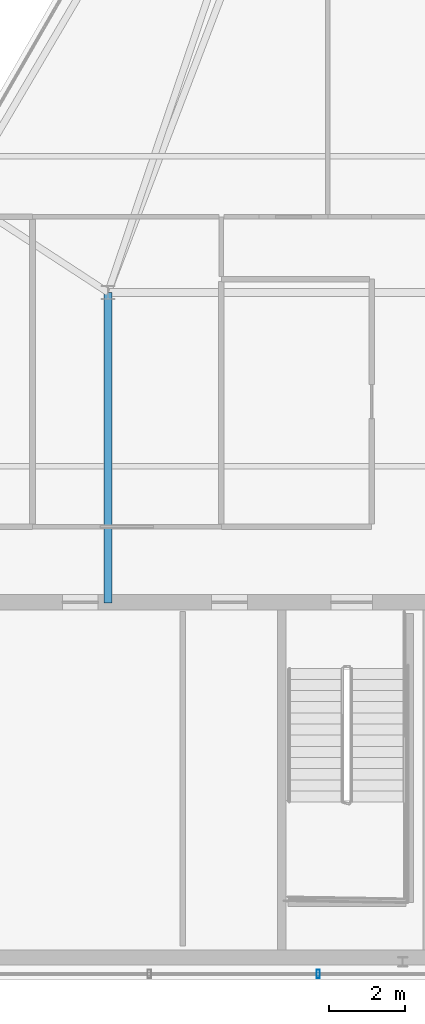
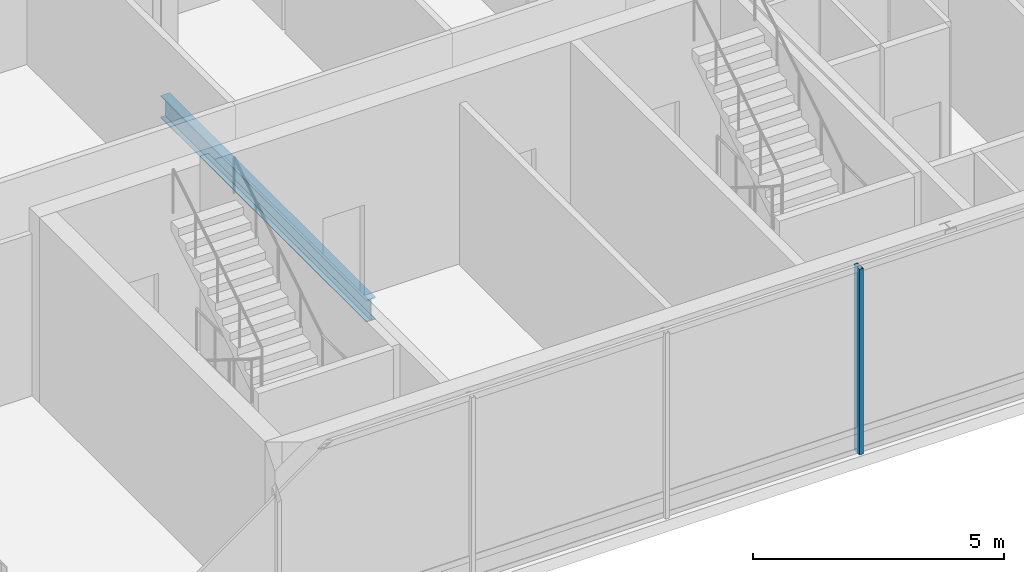
# One storey, part 5 of 25: 1 beam, 1 member, 1 element without a shape of its own.
"""IFC4 building model written with IfcOpenShell, lengths in metres."""

import ifcopenshell
import ifcopenshell.guid

model = None  # the IFC model being written
_history = None  # IfcOwnerHistory: only IFC2X3 demands one
_inside = {}  # id of a spatial element -> (the spatial element, [elements in it])
_under = {}  # id of a project, library or spatial element -> (it, [spatial elements below it])
_declared = {}  # id of a project -> (the project, [libraries it declares])
_typed = {}  # id of a type object -> (the type object, [elements of that type])
_made_of = {}  # id of a material, layer set ... -> (it, [elements and type objects made of it])


def new_model(schema):
    """Start an empty IFC model of exactly this schema.

    Asked for "IFC4X3", IfcOpenShell would pick the latest addendum, in which some entities
    have other attributes; the version numbers below select the first issue.
    IFC2X3 requires an IfcOwnerHistory on every rooted entity: one is made here for all.
    """
    global model, _history
    if schema == "IFC4X3":
        model = ifcopenshell.file(schema_version=(4, 3, 0, 0))
    else:
        model = ifcopenshell.file(schema=schema)
    _inside.clear()
    _under.clear()
    _declared.clear()
    _typed.clear()
    _made_of.clear()
    _history = None
    if model.schema == "IFC2X3":
        org = make("IfcOrganization", Name="unknown")
        user = make(
            "IfcPersonAndOrganization",
            ThePerson=make("IfcPerson", FamilyName="unknown"),
            TheOrganization=org,
        )
        app = make(
            "IfcApplication",
            ApplicationDeveloper=org,
            Version="unknown",
            ApplicationFullName="unknown",
            ApplicationIdentifier="unknown",
        )
        _history = make(
            "IfcOwnerHistory",
            OwningUser=user,
            OwningApplication=app,
            ChangeAction="ADDED",
            CreationDate=0,
        )
    return model


def make(cls, **values):
    """One entity of the class cls with the attributes given. An attribute that is None is left unset."""
    return model.create_entity(
        cls, **{name: value for name, value in values.items() if value is not None}
    )


def rooted(cls, **values):
    """An entity with a GlobalId (a new one), such as an element, a storey or a relation."""
    return make(cls, GlobalId=ifcopenshell.guid.new(), OwnerHistory=_history, **values)


def si_unit(unit_type, name, prefix=None):
    """IfcSIUnit, for example si_unit("LENGTHUNIT", "METRE", prefix="MILLI")."""
    return make("IfcSIUnit", UnitType=unit_type, Prefix=prefix, Name=name)


def assignment(units):
    """IfcUnitAssignment: the units of a project."""
    return None if units is None else make("IfcUnitAssignment", Units=units)


def point(xyz):
    """IfcCartesianPoint."""
    return None if xyz is None else make("IfcCartesianPoint", Coordinates=xyz)


def direction(xyz):
    """IfcDirection."""
    return None if xyz is None else make("IfcDirection", DirectionRatios=xyz)


def frame(location, z_axis=None, x_axis=None):
    """IfcAxis2Placement3D, a coordinate frame: its origin and axes. An axis left out is left unset."""
    return make(
        "IfcAxis2Placement3D",
        Location=point(location),
        Axis=direction(z_axis),
        RefDirection=direction(x_axis),
    )


def frame_2d(location, x_axis=None):
    """IfcAxis2Placement2D, a coordinate frame in the plane: its origin and x axis."""
    return make(
        "IfcAxis2Placement2D", Location=point(location), RefDirection=direction(x_axis)
    )


def origin():
    """The frame at (0, 0, 0) with its axes left unset."""
    return frame((0.0, 0.0, 0.0))


def origin_2d():
    """The frame at (0, 0) in the plane with its x axis left unset."""
    return frame_2d((0.0, 0.0))


def place(relative_to, where):
    """IfcLocalPlacement: puts the frame where relative to a parent placement (None: the world)."""
    return make(
        "IfcLocalPlacement", PlacementRelTo=relative_to, RelativePlacement=where
    )


def context(
    kind, dimensions, precision=None, world=None, true_north=None, identifier=None
):
    """IfcGeometricRepresentationContext, for example the 3D "Model" context."""
    return make(
        "IfcGeometricRepresentationContext",
        ContextIdentifier=identifier,
        ContextType=kind,
        CoordinateSpaceDimension=dimensions,
        Precision=precision,
        WorldCoordinateSystem=world,
        TrueNorth=true_north,
    )


def subcontext(parent, identifier, kind, view, scale=None):
    """IfcGeometricRepresentationSubContext, for example "Body" below "Model"."""
    return make(
        "IfcGeometricRepresentationSubContext",
        ContextIdentifier=identifier,
        ContextType=kind,
        ParentContext=parent,
        TargetScale=scale,
        TargetView=view,
    )


def project(units=None, contexts=None):
    """IfcProject with its units and contexts."""
    return rooted(
        "IfcProject",
        Name="project",
        RepresentationContexts=contexts,
        UnitsInContext=assignment(units),
    )


def spatial(cls, under=None, at=None, **own):
    """A site, building, storey or space (cls), placed at a placement, below another one or the project."""
    s = rooted(cls, ObjectPlacement=at, **own)
    if under is not None:
        _under.setdefault(under.id(), (under, []))[1].append(s)
    return s


def profile(cls, at=None, kind="AREA", **sizes):
    """A parametric profile (cls). Its sizes go by their IFC names, for example OverallWidth=200.0."""
    return make(cls, ProfileType=kind, Position=at, **sizes)


def hollow_rectangle(**sizes):
    """IfcRectangleHollowProfileDef."""
    return profile("IfcRectangleHollowProfileDef", **sizes)


def i_section(**sizes):
    """IfcIShapeProfileDef."""
    return profile("IfcIShapeProfileDef", **sizes)


def extrude(swept, where, along, depth):
    """IfcExtrudedAreaSolid: the profile swept, set in the frame where, extruded along a direction by depth."""
    return make(
        "IfcExtrudedAreaSolid",
        SweptArea=swept,
        Position=where,
        ExtrudedDirection=direction(along),
        Depth=depth,
    )


def shape(context_of_items, identifier, shape_type, items):
    """IfcShapeRepresentation: the items that make up one representation, for example the "Body"."""
    return make(
        "IfcShapeRepresentation",
        ContextOfItems=context_of_items,
        RepresentationIdentifier=identifier,
        RepresentationType=shape_type,
        Items=items,
    )


def material(Name=None, Category=None):
    """IfcMaterial."""
    return make("IfcMaterial", Name=Name, Category=Category)


def layer(
    of_material, thickness, ventilated=None, Name=None, Category=None, Priority=None
):
    """IfcMaterialLayer: one layer of a wall or slab, of a material (None: an air gap)."""
    return make(
        "IfcMaterialLayer",
        Material=of_material,
        LayerThickness=thickness,
        IsVentilated=ventilated,
        Name=Name,
        Category=Category,
        Priority=Priority,
    )


def layer_set(layers, Name=None):
    """IfcMaterialLayerSet."""
    return make("IfcMaterialLayerSet", MaterialLayers=layers, LayerSetName=Name)


def material_profile(
    of_material, cross_section, Name=None, Category=None, Priority=None
):
    """IfcMaterialProfile: a cross section and its material."""
    return make(
        "IfcMaterialProfile",
        Name=Name,
        Material=of_material,
        Profile=cross_section,
        Priority=Priority,
        Category=Category,
    )


def profile_set(profiles, Name=None, composite=None):
    """IfcMaterialProfileSet."""
    return make(
        "IfcMaterialProfileSet",
        Name=Name,
        MaterialProfiles=profiles,
        CompositeProfile=composite,
    )


def made_of(thing, what):
    """Note that an element or type object is made of a material, layer set ...; save() writes the relation."""
    if what is not None:
        _made_of.setdefault(what.id(), (what, []))[1].append(thing)
    return thing


def type_object(cls, material=None, **own):
    """A type object (cls), such as IfcWallType, which elements share."""
    return made_of(rooted(cls, **own), material)


def element(
    cls,
    number,
    at=None,
    inside=None,
    cuts=None,
    type_object=None,
    material=None,
    context=None,
    identifier="Body",
    shape_type=None,
    held_by="IfcProductDefinitionShape",
    body=None,
    shapes=None,
    **own,
):
    """One element of the class cls, such as IfcWall. Its Tag is "e" and its number.

    at: its placement. inside: the storey or other place that contains it. cuts: it is an
    opening in that element (IfcRelVoidsElement). A single representation is given by context,
    identifier, shape_type and body (its items); several are given by shapes. held_by: the class
    of the entity that holds the representations. save() writes the other relations.
    """
    e = rooted(cls, Tag="e%d" % number, ObjectPlacement=at, **own)
    if body is not None:
        shapes = [shape(context, identifier, shape_type, body)]
    if shapes is not None:
        e.Representation = make(held_by, Representations=shapes)
    if inside is not None:
        _inside.setdefault(inside.id(), (inside, []))[1].append(e)
    if cuts is not None:
        rooted(
            "IfcRelVoidsElement", RelatingBuildingElement=cuts, RelatedOpeningElement=e
        )
    if type_object is not None:
        _typed.setdefault(type_object.id(), (type_object, []))[1].append(e)
    return made_of(e, material)


def aggregate(whole, parts):
    """IfcRelAggregates: a whole, such as a stair, and the parts it consists of."""
    return rooted("IfcRelAggregates", RelatingObject=whole, RelatedObjects=parts)


def save(model, path):
    """Write the relations noted so far, then the file.

    IfcRelAggregates (storeys below a building ...), IfcRelContainedInSpatialStructure (elements
    in a storey), IfcRelDefinesByType, IfcRelAssociatesMaterial and IfcRelDeclares: one each for
    every whole, place, type object, material and project.
    """
    for whole, parts in _under.values():
        aggregate(whole, parts)
    for where, things in _inside.values():
        rooted(
            "IfcRelContainedInSpatialStructure",
            RelatedElements=things,
            RelatingStructure=where,
        )
    for kind, things in _typed.values():
        rooted("IfcRelDefinesByType", RelatedObjects=things, RelatingType=kind)
    for what, things in _made_of.values():
        rooted("IfcRelAssociatesMaterial", RelatedObjects=things, RelatingMaterial=what)
    for by, libraries in _declared.values():
        rooted("IfcRelDeclares", RelatingContext=by, RelatedDefinitions=libraries)
    model.write(path)


model = new_model("IFC4")

# Units and contexts
model_context = context("Model", 3, precision=1e-05, world=origin(), true_north=direction((0.0, 1.0)))
body_context = subcontext(model_context, "Body", "Model", "MODEL_VIEW")
ifc_project = project(units=[si_unit("LENGTHUNIT", "METRE"), si_unit("AREAUNIT", "SQUARE_METRE"), si_unit("VOLUMEUNIT", "CUBIC_METRE"), si_unit("PLANEANGLEUNIT", "RADIAN"), si_unit("MASSUNIT", "GRAM", prefix="KILO")], contexts=[model_context])

# Site, building, storey
site_placement = place(None, origin())
site = spatial("IfcSite", under=ifc_project, at=site_placement, CompositionType="ELEMENT")
building_placement = place(site_placement, origin())
building = spatial("IfcBuilding", under=site, at=building_placement, Name="Ndaravel Arena Tower", CompositionType="ELEMENT")
storey_placement = place(building_placement, frame((0.0, 0.0, 298.5)))
storey = spatial("IfcBuildingStorey", under=building, at=storey_placement, Name="L73", CompositionType="ELEMENT", Elevation=298.5)

# Beam
ifc_material_1 = material(Name="Steel S355", Category="steel")
ifc_material_profile_1 = material_profile(ifc_material_1, i_section(OverallWidth=0.210693359375, OverallDepth=0.53955078125, WebThickness=0.01171875, FlangeThickness=0.018798828125, FilletRadius=0.0126953125, at=origin_2d()), Name="UB 533x210x109")
ifc_profile_set_1 = profile_set([ifc_material_profile_1], Name="Steel S355")
beam_type = type_object("IfcBeamType", Name="BM-GIRD-UB533", PredefinedType="BEAM", material=ifc_profile_set_1)
beam_placement = place(storey_placement, frame((34.199951171875, 14.97998046875, -0.5498046875), z_axis=(0.0, 1.0, 0.0), x_axis=(-1.0, 0.0, 0.0)))
element("IfcBeam", 1, at=beam_placement, inside=storey, type_object=beam_type, Name="L73 Spine Link Girder SLG-01", PredefinedType="BEAM", context=body_context, shape_type="SweptSolid", body=[
    extrude(i_section(OverallWidth=0.210693359375, OverallDepth=0.53955078125, WebThickness=0.01171875, FlangeThickness=0.018798828125, FilletRadius=0.0126953125, at=origin_2d()), origin(), (0.0, 0.0, 1.0), 8.219970703125),
])

# Curtain wall, member
ifc_material_2 = material(Name="Aluminium", Category="aluminium")
ifc_layer = layer(ifc_material_2, 0.179931640625)
ifc_layer_set = layer_set([ifc_layer], Name="Aluminium")
curtain_wall_type = type_object("IfcCurtainWallType", Name="CW-SYS-04", PredefinedType="NOTDEFINED", material=ifc_layer_set)
curtain_wall_placement = place(storey_placement, origin())
curtain_wall = element("IfcCurtainWall", 2, at=curtain_wall_placement, inside=storey, type_object=curtain_wall_type, Name="L73 Faceted Crystal Curtain Wall CW-L73-E01", PredefinedType="NOTDEFINED")
ifc_material_3 = material(Name="Aluminium", Category="aluminium")
ifc_material_profile_2 = material_profile(ifc_material_3, hollow_rectangle(XDim=0.090087890625, YDim=0.219970703125, WallThickness=0.0048828125, at=origin_2d()), Name="CW MULLION 90x220x5")
ifc_profile_set_2 = profile_set([ifc_material_profile_2], Name="Aluminium")
member_type = type_object("IfcMemberType", Name="MEM-CW-MUL220", PredefinedType="MULLION", material=ifc_profile_set_2)
member_placement = place(storey_placement, frame((39.764892578125, 5.159912109375, 0.0), z_axis=(0.0, 0.0, 1.0), x_axis=(1.0, 0.0, 0.0)))
member = element("IfcMember", 3, at=member_placement, type_object=member_type, Name="CW-L73-E01 Mullion 04", PredefinedType="MULLION", context=body_context, shape_type="SweptSolid", body=[
    extrude(hollow_rectangle(XDim=0.090087890625, YDim=0.219970703125, WallThickness=0.0048828125, at=origin_2d()), origin(), (0.0, 0.0, 1.0), 4.52001953125),
])
aggregate(curtain_wall, [member])

save(model, "model.ifc")
